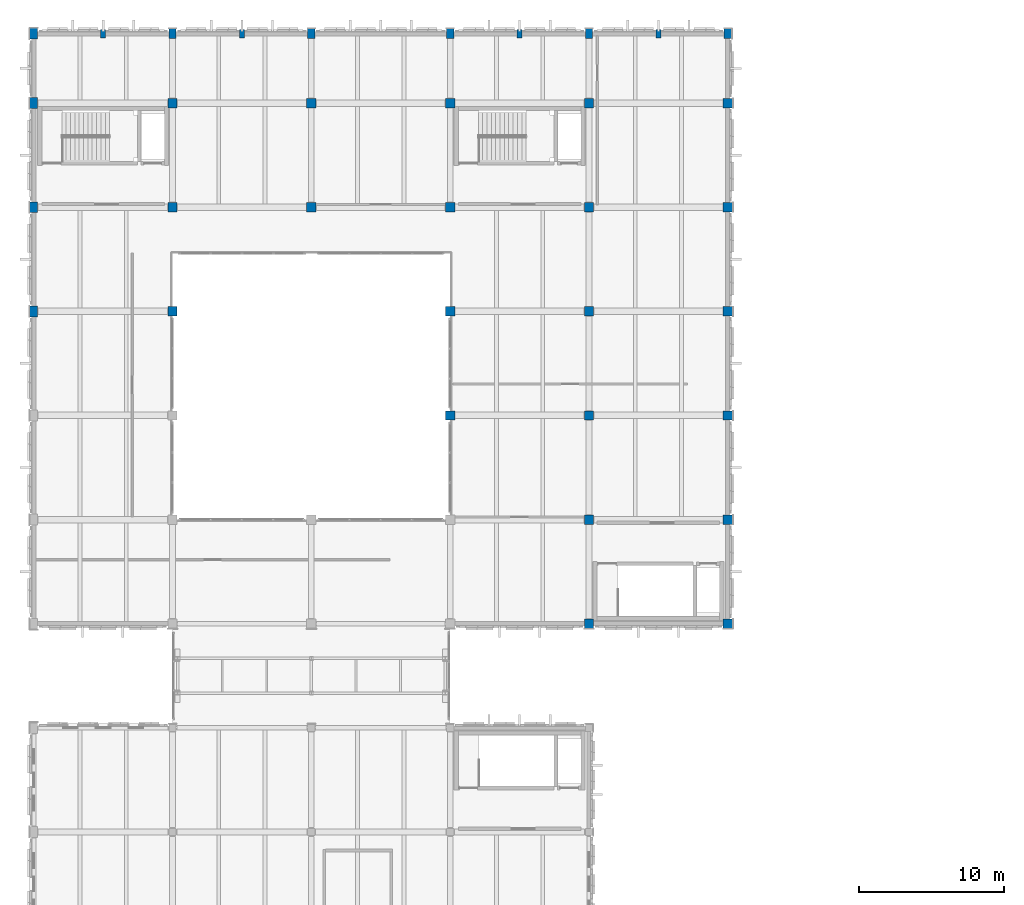
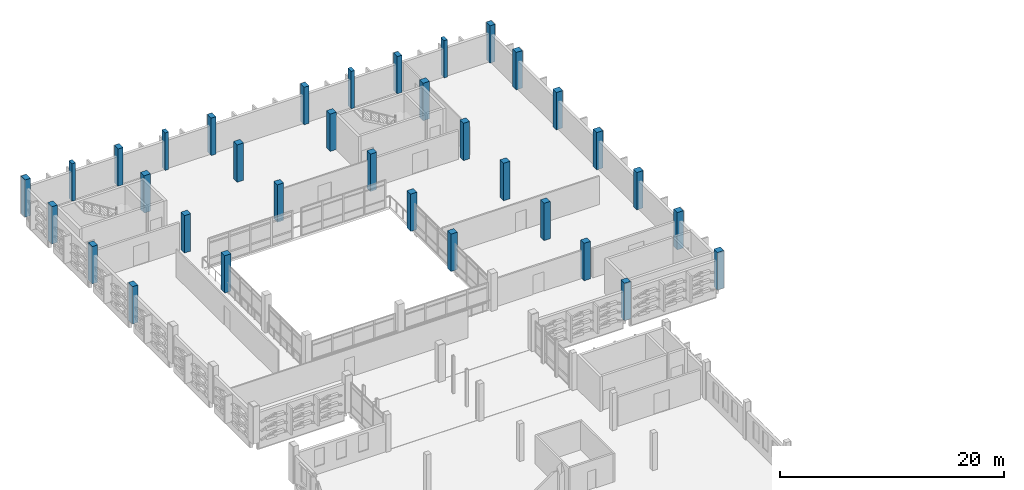
# One storey, part 3 of 72: 34 columns.
"""IFC4 building model written with IfcOpenShell, lengths in metres."""

from ifc_helpers import new_model, si_unit, direction, frame, origin, origin_2d, place, context, subcontext, project, spatial, rectangle, extrude, material, material_profile, profile_set, type_object, element, save


model = new_model("IFC4")

# Units and contexts
model_context = context("Model", 3, precision=1e-05, world=origin(), true_north=direction((0.0, 1.0)))
body_context = subcontext(model_context, "Body", "Model", "MODEL_VIEW")
ifc_project = project(units=[si_unit("LENGTHUNIT", "METRE"), si_unit("AREAUNIT", "SQUARE_METRE"), si_unit("VOLUMEUNIT", "CUBIC_METRE"), si_unit("PLANEANGLEUNIT", "RADIAN"), si_unit("MASSUNIT", "GRAM", prefix="KILO")], contexts=[model_context])

# Site, building, storey
site_placement = place(None, origin())
site = spatial("IfcSite", under=ifc_project, at=site_placement, CompositionType="ELEMENT")
building_placement = place(site_placement, origin())
building = spatial("IfcBuilding", under=site, at=building_placement, Name="Asteropetra Specialist Clinic", CompositionType="ELEMENT")
storey_placement = place(building_placement, frame((0.0, 0.0, 12.580078125)))
storey = spatial("IfcBuildingStorey", under=building, at=storey_placement, Name="L03", CompositionType="ELEMENT", Elevation=12.580078125)

# Columns
ifc_material_1 = material(Name="Concrete C35/45", Category="concrete")
ifc_material_profile_1 = material_profile(ifc_material_1, rectangle(XDim=0.5, YDim=0.699951171875, at=origin_2d()), Name="RC 500x700")
ifc_profile_set_1 = profile_set([ifc_material_profile_1], Name="Concrete C35/45")
column_type_1 = type_object("IfcColumnType", Name="COL-RC500x700", PredefinedType="COLUMN", material=ifc_profile_set_1)
for number, where, z_axis, x_axis, name in (
    (1, (9.60009765625, 110.39990234375, 0.0), (0.0, 0.0, 1.0), (1.0, 0.0, 0.0), "Column CCOL11-0158"),
    (2, (19.199951171875, 110.39990234375, 0.0), (0.0, 0.0, 1.0), (1.0, 0.0, 0.0), "Column CCOL11-0258"),
    (3, (28.800048828125, 110.39990234375, 0.0), (0.0, 0.0, 1.0), (1.0, 0.0, 0.0), "Column CCOL11-0354"),
    (4, (38.39990234375, 110.39990234375, 0.0), (0.0, 0.0, 1.0), (1.0, 0.0, 0.0), "Column CCOL11-0434"),
    (5, (48.0, 110.39990234375, 0.0), (0.0, 0.0, 1.0), (1.0, 0.0, 0.0), "Column CCOL11-0494"),
):
    element("IfcColumn", number, at=place(storey_placement, frame(where, z_axis=z_axis, x_axis=x_axis)), inside=storey, type_object=column_type_1, Name=name, PredefinedType="COLUMN", context=body_context, shape_type="SweptSolid", body=[
        extrude(rectangle(XDim=0.5, YDim=0.699951171875, at=origin_2d()), origin(), (0.0, 0.0, 1.0), 4.079833984375),
    ])
ifc_material_2 = material(Name="Concrete C35/45", Category="concrete")
ifc_material_profile_2 = material_profile(ifc_material_2, rectangle(XDim=0.550048828125, YDim=0.75, at=origin_2d()), Name="RC 550x750")
ifc_profile_set_2 = profile_set([ifc_material_profile_2], Name="Concrete C35/45")
column_type_2 = type_object("IfcColumnType", Name="COL-RC550x750", PredefinedType="COLUMN", material=ifc_profile_set_2)
for number, where, z_axis, x_axis, name in (
    (6, (0.0, 91.199951171875, 0.0), (0.0, 0.0, 1.0), (1.0, 0.0, 0.0), "Column CCOL10-0060"),
    (7, (0.0, 98.39990234375, 0.0), (0.0, 0.0, 1.0), (1.0, 0.0, 0.0), "Column CCOL10-0066"),
    (8, (0.0, 105.60009765625, 0.0), (0.0, 0.0, 1.0), (1.0, 0.0, 0.0), "Column CCOL10-0072"),
    (9, (0.0, 110.39990234375, 0.0), (0.0, 0.0, 1.0), (1.0, 0.0, 0.0), "Column CCOL10-0078"),
):
    element("IfcColumn", number, at=place(storey_placement, frame(where, z_axis=z_axis, x_axis=x_axis)), inside=storey, type_object=column_type_2, Name=name, PredefinedType="COLUMN", context=body_context, shape_type="SweptSolid", body=[
        extrude(rectangle(XDim=0.550048828125, YDim=0.75, at=origin_2d()), origin(), (0.0, 0.0, 1.0), 4.079833984375),
    ])
ifc_material_3 = material(Name="Concrete C35/45", Category="concrete")
ifc_material_profile_3 = material_profile(ifc_material_3, rectangle(XDim=0.64990234375, YDim=0.64990234375, at=origin_2d()), Name="RC 650x650")
ifc_profile_set_3 = profile_set([ifc_material_profile_3], Name="Concrete C35/45")
column_type_3 = type_object("IfcColumnType", Name="COL-RC650", PredefinedType="COLUMN", material=ifc_profile_set_3)
for number, where, z_axis, x_axis, name in (
    (10, (9.60009765625, 91.199951171875, 0.0), (0.0, 0.0, 1.0), (1.0, 0.0, 0.0), "Column CCOL04-0140"),
    (11, (9.60009765625, 98.39990234375, 0.0), (0.0, 0.0, 1.0), (1.0, 0.0, 0.0), "Column CCOL04-0146"),
    (12, (9.60009765625, 105.60009765625, 0.0), (0.0, 0.0, 1.0), (1.0, 0.0, 0.0), "Column CCOL04-0152"),
    (13, (19.199951171875, 98.39990234375, 0.0), (0.0, 0.0, 1.0), (1.0, 0.0, 0.0), "Column CCOL04-0246"),
    (14, (19.199951171875, 105.60009765625, 0.0), (0.0, 0.0, 1.0), (1.0, 0.0, 0.0), "Column CCOL04-0252"),
    (15, (28.800048828125, 84.0, 0.0), (0.0, 0.0, 1.0), (1.0, 0.0, 0.0), "Column CCOL04-0330"),
    (16, (28.800048828125, 91.199951171875, 0.0), (0.0, 0.0, 1.0), (1.0, 0.0, 0.0), "Column CCOL04-0336"),
    (17, (28.800048828125, 98.39990234375, 0.0), (0.0, 0.0, 1.0), (1.0, 0.0, 0.0), "Column CCOL04-0342"),
    (18, (28.800048828125, 105.60009765625, 0.0), (0.0, 0.0, 1.0), (1.0, 0.0, 0.0), "Column CCOL04-0348"),
    (19, (38.39990234375, 69.60009765625, 0.0), (0.0, 0.0, 1.0), (1.0, 0.0, 0.0), "Column CCOL04-0400"),
    (20, (38.39990234375, 76.800048828125, 0.0), (0.0, 0.0, 1.0), (1.0, 0.0, 0.0), "Column CCOL04-0404"),
    (21, (38.39990234375, 84.0, 0.0), (0.0, 0.0, 1.0), (1.0, 0.0, 0.0), "Column CCOL04-0410"),
    (22, (38.39990234375, 91.199951171875, 0.0), (0.0, 0.0, 1.0), (1.0, 0.0, 0.0), "Column CCOL04-0416"),
    (23, (38.39990234375, 98.39990234375, 0.0), (0.0, 0.0, 1.0), (1.0, 0.0, 0.0), "Column CCOL04-0422"),
    (24, (38.39990234375, 105.60009765625, 0.0), (0.0, 0.0, 1.0), (1.0, 0.0, 0.0), "Column CCOL04-0428"),
    (25, (48.0, 69.60009765625, 0.0), (0.0, 0.0, 1.0), (1.0, 0.0, 0.0), "Column CCOL04-0470"),
    (26, (48.0, 76.800048828125, 0.0), (0.0, 0.0, 1.0), (1.0, 0.0, 0.0), "Column CCOL04-0474"),
    (27, (48.0, 84.0, 0.0), (0.0, 0.0, 1.0), (1.0, 0.0, 0.0), "Column CCOL04-0478"),
    (28, (48.0, 91.199951171875, 0.0), (0.0, 0.0, 1.0), (1.0, 0.0, 0.0), "Column CCOL04-0482"),
    (29, (48.0, 98.39990234375, 0.0), (0.0, 0.0, 1.0), (1.0, 0.0, 0.0), "Column CCOL04-0486"),
    (30, (48.0, 105.60009765625, 0.0), (0.0, 0.0, 1.0), (1.0, 0.0, 0.0), "Column CCOL04-0490"),
):
    element("IfcColumn", number, at=place(storey_placement, frame(where, z_axis=z_axis, x_axis=x_axis)), inside=storey, type_object=column_type_3, Name=name, PredefinedType="COLUMN", context=body_context, shape_type="SweptSolid", body=[
        extrude(rectangle(XDim=0.64990234375, YDim=0.64990234375, at=origin_2d()), origin(), (0.0, 0.0, 1.0), 4.079833984375),
    ])
ifc_material_4 = material(Name="Concrete C35/45", Category="concrete")
ifc_material_profile_4 = material_profile(ifc_material_4, rectangle(XDim=0.35009765625, YDim=0.60009765625, at=origin_2d()), Name="PIL 350x600")
ifc_profile_set_4 = profile_set([ifc_material_profile_4], Name="Concrete C35/45")
column_type_4 = type_object("IfcColumnType", Name="PIL-RC350x600", PredefinedType="PILASTER", material=ifc_profile_set_4)
for number, where, z_axis, x_axis, name in (
    (31, (4.800048828125, 110.39990234375, 0.0), (0.0, 0.0, 1.0), (1.0, 0.0, 0.0), "Neoclassical Pilaster PL-L03-01"),
    (32, (14.39990234375, 110.39990234375, 0.0), (0.0, 0.0, 1.0), (1.0, 0.0, 0.0), "Neoclassical Pilaster PL-L03-02"),
    (33, (33.60009765625, 110.39990234375, 0.0), (0.0, 0.0, 1.0), (1.0, 0.0, 0.0), "Neoclassical Pilaster PL-L03-03"),
    (34, (43.199951171875, 110.39990234375, 0.0), (0.0, 0.0, 1.0), (1.0, 0.0, 0.0), "Neoclassical Pilaster PL-L03-04"),
):
    element("IfcColumn", number, at=place(storey_placement, frame(where, z_axis=z_axis, x_axis=x_axis)), inside=storey, type_object=column_type_4, Name=name, PredefinedType="PILASTER", context=body_context, shape_type="SweptSolid", body=[
        extrude(rectangle(XDim=0.35009765625, YDim=0.60009765625, at=origin_2d()), origin(), (0.0, 0.0, 1.0), 4.079833984375),
    ])

save(model, "model.ifc")
